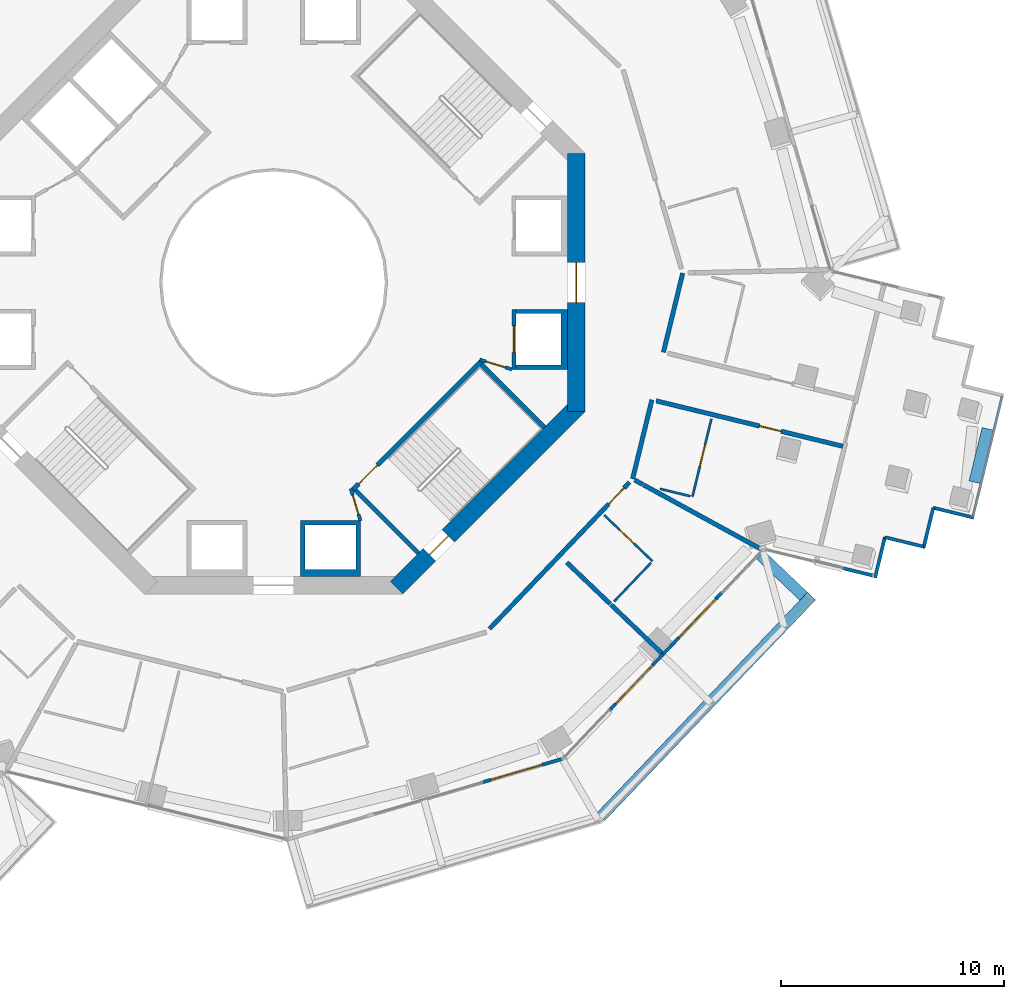
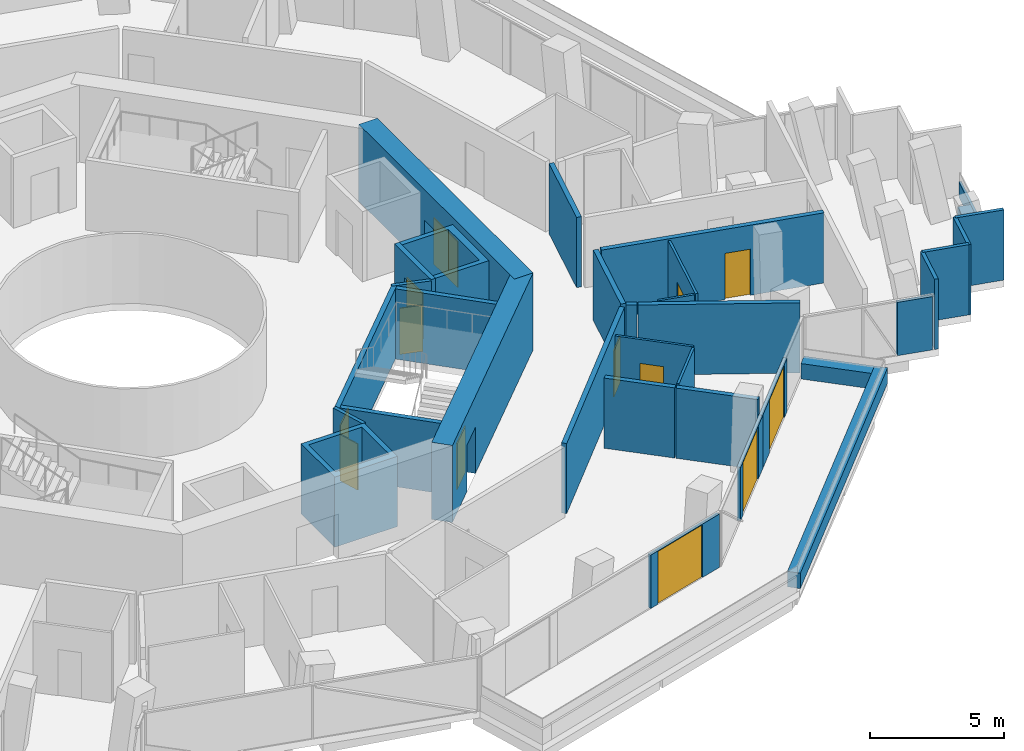
# One storey, part 19 of 25: 34 walls, 13 doors, 13 openings.
"""IFC4 building model written with IfcOpenShell, lengths in metres."""

from ifc_helpers import new_model, si_unit, direction, frame, frame_2d, origin, place, context, subcontext, project, spatial, polyline, rectangle, outline, extrude, material, layer, layer_set, type_object, element, fill, save


model = new_model("IFC4")

# Units and contexts
model_context = context("Model", 3, precision=1e-05, world=origin(), true_north=direction((0.0, 1.0)))
body_context = subcontext(model_context, "Body", "Model", "MODEL_VIEW")
ifc_project = project(units=[si_unit("LENGTHUNIT", "METRE"), si_unit("AREAUNIT", "SQUARE_METRE"), si_unit("VOLUMEUNIT", "CUBIC_METRE"), si_unit("PLANEANGLEUNIT", "RADIAN"), si_unit("MASSUNIT", "GRAM", prefix="KILO")], contexts=[model_context])

# Site, building, storey
site_placement = place(None, origin())
site = spatial("IfcSite", under=ifc_project, at=site_placement, CompositionType="ELEMENT")
building_placement = place(site_placement, origin())
building = spatial("IfcBuilding", under=site, at=building_placement, Name="Verdalira Terraces Hotel", CompositionType="ELEMENT")
storey_placement = place(building_placement, frame((0.0, 0.0, 100.0)))
storey = spatial("IfcBuildingStorey", under=building, at=storey_placement, Name="L23", CompositionType="ELEMENT", Elevation=100.0)

# Walls
ifc_material_1 = material(Name="Concrete C40", Category="concrete")
ifc_layer_1 = layer(ifc_material_1, 0.5)
ifc_layer_set_1 = layer_set([ifc_layer_1], Name="Balcony planter trough with tree")
wall_type_1 = type_object("IfcWallType", Name="Balcony planter trough with tree", PredefinedType="SOLIDWALL", material=ifc_layer_set_1)
wall_1_placement = place(storey_placement, frame((14.688477, -24.014893, 0.0), z_axis=(0.0, 0.0, 1.0), x_axis=(0.690641589, 0.723197204, 0.0)))
element("IfcWall", 1, at=wall_1_placement, inside=storey, type_object=wall_type_1, Name="Balcony planter", PredefinedType="SOLIDWALL", context=body_context, shape_type="SweptSolid", body=[
    extrude(rectangle(XDim=13.723633, YDim=0.5, at=frame_2d((6.861816, 0.0))), origin(), (0.0, 0.0, 1.0), 0.699951),
])
wall_2_placement = place(storey_placement, frame((23.812988, -14.098145, 0.0), z_axis=(0.0, 0.0, 1.0), x_axis=(-0.723201505, 0.690637085, 0.0)))
element("IfcWall", 2, at=wall_2_placement, inside=storey, type_object=wall_type_1, Name="Balcony planter", PredefinedType="SOLIDWALL", context=body_context, shape_type="SweptSolid", body=[
    extrude(rectangle(XDim=2.698975, YDim=0.5, at=frame_2d((1.349609, 0.0))), origin(), (0.0, 0.0, 1.0), 0.699951),
])

# Wall, opening, door
ifc_material_2 = material(Name="Moisture-resistant gypsum board partition")
ifc_layer_2 = layer(ifc_material_2, 0.10009765625)
ifc_layer_set_2 = layer_set([ifc_layer_2], Name="Bathroom partition 100 mm")
wall_type_2 = type_object("IfcWallType", Name="Bathroom partition 100 mm", PredefinedType="PARTITIONING", material=ifc_layer_set_2)
wall_3_placement = place(storey_placement, frame((17.021973, -12.521729, 0.0), z_axis=(0.0, 0.0, 1.0), x_axis=(-0.723235441, 0.690601547, 0.0)))
wall_3 = element("IfcWall", 3, at=wall_3_placement, inside=storey, type_object=wall_type_2, Name="Bathroom partition", PredefinedType="PARTITIONING", context=body_context, shape_type="SweptSolid", body=[
    extrude(rectangle(XDim=3.0, YDim=0.100098, at=frame_2d((1.5, 0.0))), origin(), (0.0, 0.0, 1.0), 3.189941),
])
opening_1_placement = place(wall_3_placement, frame((1.149902, 0.0, 0.0)))
opening_1 = element("IfcOpeningElement", 4, at=opening_1_placement, cuts=wall_3, Name="Opening L23-127", PredefinedType="OPENING", context=body_context, shape_type="SweptSolid", body=[
    extrude(rectangle(XDim=0.899902, YDim=2.100098, at=frame_2d((0.449951, 1.050049))), frame((0.0, 0.060059, 0.0), z_axis=(0.0, -1.0, 0.0), x_axis=(1.0, 0.0, 0.0)), (0.0, 0.0, 1.0), 0.120117),
])
ifc_material_3 = material(Name="Timber door", Category="wood")
door_type_1 = type_object("IfcDoorType", Name="Bathroom door 900 x 2100", OperationType="NOTDEFINED", PredefinedType="DOOR", material=ifc_material_3)
door_1_placement = place(opening_1_placement, origin())
door_1 = element("IfcDoor", 5, at=door_1_placement, inside=storey, type_object=door_type_1, Name="Bathroom door 2310", OperationType="SINGLE_SWING_LEFT", OverallHeight=2.10009765625, OverallWidth=0.89990234375, PredefinedType="DOOR", context=body_context, shape_type="SweptSolid", body=[
    extrude(rectangle(XDim=0.899902, YDim=2.100098, at=frame_2d((0.449951, 1.050049))), frame((0.0, 0.024902, 0.0), z_axis=(0.0, -1.0, 0.0), x_axis=(1.0, 0.0, 0.0)), (0.0, 0.0, 1.0), 0.050049),
])
fill(opening_1, door_1)

# Walls
wall_4_placement = place(storey_placement, frame((16.952881, -12.593994, 0.0), z_axis=(0.0, 0.0, 1.0), x_axis=(-0.690591866, -0.723244685, 0.0)))
element("IfcWall", 6, at=wall_4_placement, inside=storey, type_object=wall_type_2, Name="Bathroom partition", PredefinedType="PARTITIONING", context=body_context, shape_type="SweptSolid", body=[
    extrude(rectangle(XDim=2.400146, YDim=0.100098, at=frame_2d((1.200195, 0.0))), origin(), (0.0, 0.0, 1.0), 3.189941),
])
wall_5_placement = place(storey_placement, frame((18.718994, -9.599365, 0.0), z_axis=(0.0, 0.0, 1.0), x_axis=(-0.971613393, 0.23657433, 0.0)))
element("IfcWall", 7, at=wall_5_placement, inside=storey, type_object=wall_type_2, Name="Bathroom partition", PredefinedType="PARTITIONING", context=body_context, shape_type="SweptSolid", body=[
    extrude(rectangle(XDim=1.398438, YDim=0.100098, at=frame_2d((0.699219, 0.0))), origin(), (0.0, 0.0, 1.0), 3.189941),
])

# Wall, opening, door
wall_6_placement = place(storey_placement, frame((18.816406, -9.623047, 0.0), z_axis=(0.0, 0.0, 1.0), x_axis=(0.236467516, 0.971639395, 0.0)))
wall_6 = element("IfcWall", 8, at=wall_6_placement, inside=storey, type_object=wall_type_2, Name="Bathroom partition", PredefinedType="PARTITIONING", context=body_context, shape_type="SweptSolid", body=[
    extrude(rectangle(XDim=3.600098, YDim=0.100098, at=frame_2d((1.800049, 0.0))), origin(), (0.0, 0.0, 1.0), 3.189941),
])
opening_2_placement = place(wall_6_placement, frame((1.399902, 0.0, 0.0)))
opening_2 = element("IfcOpeningElement", 9, at=opening_2_placement, cuts=wall_6, Name="Opening L23-129", PredefinedType="OPENING", context=body_context, shape_type="SweptSolid", body=[
    extrude(rectangle(XDim=1.0, YDim=2.100098, at=frame_2d((0.5, 1.050049))), frame((0.0, 0.060059, 0.0), z_axis=(0.0, -1.0, 0.0), x_axis=(1.0, 0.0, 0.0)), (0.0, 0.0, 1.0), 0.120117),
])
ifc_material_4 = material(Name="Timber door", Category="wood")
door_type_2 = type_object("IfcDoorType", Name="Bathroom door 1000 x 2100", OperationType="NOTDEFINED", PredefinedType="DOOR", material=ifc_material_4)
door_2_placement = place(opening_2_placement, origin())
door_2 = element("IfcDoor", 10, at=door_2_placement, inside=storey, type_object=door_type_2, Name="Bathroom door 2311", OperationType="SINGLE_SWING_LEFT", OverallHeight=2.10009765625, OverallWidth=1.0, PredefinedType="DOOR", context=body_context, shape_type="SweptSolid", body=[
    extrude(rectangle(XDim=1.0, YDim=2.100098, at=frame_2d((0.5, 1.050049))), frame((0.0, 0.024902, 0.0), z_axis=(0.0, -1.0, 0.0), x_axis=(1.0, 0.0, 0.0)), (0.0, 0.0, 1.0), 0.050049),
])
fill(opening_2, door_2)

# Wall
ifc_material_5 = material(Name="Concrete C50", Category="concrete")
ifc_layer_3 = layer(ifc_material_5, 0.199951171875)
ifc_layer_set_3 = layer_set([ifc_layer_3], Name="Core RC wall 200 C50")
wall_type_3 = type_object("IfcWallType", Name="Core RC wall 200 C50", PredefinedType="SOLIDWALL", material=ifc_layer_set_3)
wall_7_placement = place(storey_placement, origin())
element("IfcWall", 11, at=wall_7_placement, inside=storey, type_object=wall_type_3, Name="L23 shaft wall E1", PredefinedType="SOLIDWALL", context=body_context, shape_type="SweptSolid", body=[
    extrude(outline(polyline([(13.199951, -3.899902), (10.899902, -3.899902), (10.899902, -3.699951), (12.899902, -3.699951), (12.899902, -1.399902), (10.899902, -1.399902), (10.899902, -1.199951), (13.199951, -1.199951), (13.199951, -3.899902)])), origin(), (0.0, 0.0, 1.0), 3.189941),
])

# Wall, opening, door
wall_8_placement = place(storey_placement, frame((10.800049, -1.199951, 0.0), z_axis=(0.0, 0.0, 1.0), x_axis=(0.0, -1.0, 0.0)))
wall_8 = element("IfcWall", 12, at=wall_8_placement, inside=storey, type_object=wall_type_3, Name="L23 shaft front wall E1", PredefinedType="SOLIDWALL", context=body_context, shape_type="SweptSolid", body=[
    extrude(rectangle(XDim=2.699951, YDim=0.199951, at=frame_2d((1.350098, 0.0))), origin(), (0.0, 0.0, 1.0), 3.189941),
])
opening_3_placement = place(wall_8_placement, frame((0.75, 0.0, 0.0)))
opening_3 = element("IfcOpeningElement", 13, at=opening_3_placement, cuts=wall_8, Name="Opening LD-L23-801", PredefinedType="OPENING", context=body_context, shape_type="SweptSolid", body=[
    extrude(rectangle(XDim=1.199951, YDim=2.100098, at=frame_2d((0.600098, 1.050049))), frame((0.0, 0.109863, 0.0), z_axis=(0.0, -1.0, 0.0), x_axis=(1.0, 0.0, 0.0)), (0.0, 0.0, 1.0), 0.219971),
])
ifc_material_6 = material(Name="Stainless steel", Category="steel")
door_type_3 = type_object("IfcDoorType", Name="Landing door 1200 x 2100", OperationType="NOTDEFINED", PredefinedType="DOOR", material=ifc_material_6)
door_3_placement = place(opening_3_placement, origin())
door_3 = element("IfcDoor", 14, at=door_3_placement, inside=storey, type_object=door_type_3, Name="Lift landing door LR1 L23", OperationType="DOUBLE_DOOR_SLIDING", OverallHeight=2.10009765625, OverallWidth=1.199951171875, PredefinedType="DOOR", context=body_context, shape_type="SweptSolid", body=[
    extrude(rectangle(XDim=1.199951, YDim=2.100098, at=frame_2d((0.600098, 1.050049))), frame((0.0, 0.024902, 0.0), z_axis=(0.0, -1.0, 0.0), x_axis=(1.0, 0.0, 0.0)), (0.0, 0.0, 1.0), 0.050049),
])
fill(opening_3, door_3)

# Wall
wall_9_placement = place(storey_placement, origin())
element("IfcWall", 15, at=wall_9_placement, inside=storey, type_object=wall_type_3, Name="L23 shaft wall S2", PredefinedType="SOLIDWALL", context=body_context, shape_type="SweptSolid", body=[
    extrude(outline(polyline([(3.899902, -10.699951), (3.899902, -13.199951), (1.199951, -13.199951), (1.199951, -10.699951), (3.899902, -10.699951)]), holes=[polyline([(1.399902, -12.899902), (3.699951, -12.899902), (3.699951, -10.899902), (1.399902, -10.899902), (1.399902, -12.899902)])]), origin(), (0.0, 0.0, 1.0), 3.189941),
])

# Wall, opening, door
wall_10_placement = place(storey_placement, frame((9.33374, -3.5354, 0.0), z_axis=(0.0, 0.0, 1.0), x_axis=(-0.707106781, -0.707106781, 0.0)))
wall_10 = element("IfcWall", 16, at=wall_10_placement, inside=storey, type_object=wall_type_3, Name="L23 stair ST3 front wall", PredefinedType="SOLIDWALL", context=body_context, shape_type="SweptSolid", body=[
    extrude(rectangle(XDim=8.200195, YDim=0.199951, at=frame_2d((4.100098, 0.0))), origin(), (0.0, 0.0, 1.0), 3.189941),
])
opening_4_placement = place(wall_10_placement, frame((6.600098, 0.0, 0.0)))
opening_4 = element("IfcOpeningElement", 17, at=opening_4_placement, cuts=wall_10, Name="Opening L23-811", PredefinedType="OPENING", context=body_context, shape_type="SweptSolid", body=[
    extrude(rectangle(XDim=1.199951, YDim=2.100098, at=frame_2d((0.600098, 1.050049))), frame((0.0, 0.109863, 0.0), z_axis=(0.0, -1.0, 0.0), x_axis=(1.0, 0.0, 0.0)), (0.0, 0.0, 1.0), 0.219971),
])
ifc_material_7 = material(Name="Steel fire door", Category="steel")
door_type_4 = type_object("IfcDoorType", Name="Stair door 1200 x 2100", OperationType="NOTDEFINED", PredefinedType="DOOR", material=ifc_material_7)
door_4_placement = place(opening_4_placement, origin())
door_4 = element("IfcDoor", 18, at=door_4_placement, inside=storey, type_object=door_type_4, Name="Stair door ST3 L23", OperationType="SINGLE_SWING_RIGHT", OverallHeight=2.10009765625, OverallWidth=1.199951171875, PredefinedType="DOOR", context=body_context, shape_type="SweptSolid", body=[
    extrude(rectangle(XDim=1.199951, YDim=2.100098, at=frame_2d((0.600098, 1.050049))), frame((0.0, 0.024902, 0.0), z_axis=(0.0, -1.0, 0.0), x_axis=(1.0, 0.0, 0.0)), (0.0, 0.0, 1.0), 0.050049),
])
fill(opening_4, door_4)

# Walls
for number, where, z_axis, x_axis, name in (
    (19, (3.677002, -9.33374, 0.0), (0.0, 0.0, 1.0), (0.707106781, -0.707106781, 0.0), "L23 stair ST3 end wall 1"),
    (20, (9.33374, -3.677002, 0.0), (0.0, 0.0, 1.0), (0.707106781, -0.707106781, 0.0), "L23 stair ST3 end wall 2"),
):
    element("IfcWall", number, at=place(storey_placement, frame(where, z_axis=z_axis, x_axis=x_axis)), inside=storey, type_object=wall_type_3, Name=name, PredefinedType="SOLIDWALL", context=body_context, shape_type="SweptSolid", body=[
        extrude(rectangle(XDim=4.0, YDim=0.199951, at=frame_2d((2.0, 0.0))), origin(), (0.0, 0.0, 1.0), 3.189941),
    ])

# Wall, opening, door
ifc_material_8 = material(Name="Gypsum board partition")
ifc_layer_4 = layer(ifc_material_8, 0.14990234375)
ifc_layer_set_4 = layer_set([ifc_layer_4], Name="Core partition 150 mm")
wall_type_4 = type_object("IfcWallType", Name="Core partition 150 mm", PredefinedType="PARTITIONING", material=ifc_layer_set_4)
wall_11_placement = place(storey_placement, frame((3.899902, -10.699951, 0.0), z_axis=(0.0, 0.0, 1.0), x_axis=(-0.289808785, 0.957084567, 0.0)))
wall_11 = element("IfcWall", 21, at=wall_11_placement, inside=storey, type_object=wall_type_4, Name="Room partition L23", PredefinedType="PARTITIONING", context=body_context, shape_type="SweptSolid", body=[
    extrude(rectangle(XDim=1.501221, YDim=0.149902, at=frame_2d((0.750488, 0.0))), origin(), (0.0, 0.0, 1.0), 3.189941),
])
opening_5_placement = place(wall_11_placement, frame((0.300781, 0.0, 0.0)))
opening_5 = element("IfcOpeningElement", 22, at=opening_5_placement, cuts=wall_11, Name="Opening L23-822", PredefinedType="OPENING", context=body_context, shape_type="SweptSolid", body=[
    extrude(rectangle(XDim=0.899902, YDim=2.100098, at=frame_2d((0.449951, 1.050049))), frame((0.0, 0.084961, 0.0), z_axis=(0.0, -1.0, 0.0), x_axis=(1.0, 0.0, 0.0)), (0.0, 0.0, 1.0), 0.169922),
])
ifc_material_9 = material(Name="Steel fire door", Category="steel")
door_type_5 = type_object("IfcDoorType", Name="Core room door 900 x 2100", OperationType="NOTDEFINED", PredefinedType="DOOR", material=ifc_material_9)
door_5_placement = place(opening_5_placement, origin())
door_5 = element("IfcDoor", 23, at=door_5_placement, inside=storey, type_object=door_type_5, Name="Door L23 room6", OperationType="SINGLE_SWING_LEFT", OverallHeight=2.10009765625, OverallWidth=0.89990234375, PredefinedType="DOOR", context=body_context, shape_type="SweptSolid", body=[
    extrude(rectangle(XDim=0.899902, YDim=2.100098, at=frame_2d((0.449951, 1.050049))), frame((0.0, 0.024902, 0.0), z_axis=(0.0, -1.0, 0.0), x_axis=(1.0, 0.0, 0.0)), (0.0, 0.0, 1.0), 0.050049),
])
fill(opening_5, door_5)

wall_12_placement = place(storey_placement, frame((9.263184, -3.464844, 0.0), z_axis=(0.0, 0.0, 1.0), x_axis=(0.957084567, -0.289808785, 0.0)))
wall_12 = element("IfcWall", 24, at=wall_12_placement, inside=storey, type_object=wall_type_4, Name="Room partition L23", PredefinedType="PARTITIONING", context=body_context, shape_type="SweptSolid", body=[
    extrude(rectangle(XDim=1.501221, YDim=0.149902, at=frame_2d((0.750488, 0.0))), origin(), (0.0, 0.0, 1.0), 3.189941),
])
opening_6_placement = place(wall_12_placement, frame((0.300781, 0.0, 0.0)))
opening_6 = element("IfcOpeningElement", 25, at=opening_6_placement, cuts=wall_12, Name="Opening L23-823", PredefinedType="OPENING", context=body_context, shape_type="SweptSolid", body=[
    extrude(rectangle(XDim=0.899902, YDim=2.100098, at=frame_2d((0.449951, 1.050049))), frame((0.0, 0.084961, 0.0), z_axis=(0.0, -1.0, 0.0), x_axis=(1.0, 0.0, 0.0)), (0.0, 0.0, 1.0), 0.169922),
])
door_6_placement = place(opening_6_placement, origin())
door_6 = element("IfcDoor", 26, at=door_6_placement, inside=storey, type_object=door_type_5, Name="Door L23 room7", OperationType="SINGLE_SWING_LEFT", OverallHeight=2.10009765625, OverallWidth=0.89990234375, PredefinedType="DOOR", context=body_context, shape_type="SweptSolid", body=[
    extrude(rectangle(XDim=0.899902, YDim=2.100098, at=frame_2d((0.449951, 1.050049))), frame((0.0, 0.024902, 0.0), z_axis=(0.0, -1.0, 0.0), x_axis=(1.0, 0.0, 0.0)), (0.0, 0.0, 1.0), 0.050049),
])
fill(opening_6, door_6)

ifc_material_10 = material(Name="Concrete C70", Category="concrete")
ifc_layer_5 = layer(ifc_material_10, 0.800048828125)
ifc_layer_set_5 = layer_set([ifc_layer_5], Name="Core wall 800 C70")
wall_type_5 = type_object("IfcWallType", Name="Core wall 800 C70", PredefinedType="SHEAR", material=ifc_layer_set_5)
wall_13_placement = place(storey_placement, frame((13.600098, -5.799072, 0.0), z_axis=(0.0, 0.0, 1.0), x_axis=(0.0, 1.0, 0.0)))
wall_13 = element("IfcWall", 27, at=wall_13_placement, inside=storey, type_object=wall_type_5, Name="Core wall CW-L23-1", PredefinedType="SHEAR", context=body_context, shape_type="SweptSolid", body=[
    extrude(rectangle(XDim=11.598145, YDim=0.800049, at=frame_2d((5.799072, 0.0))), origin(), (0.0, 0.0, 1.0), 3.5),
])
opening_7_placement = place(wall_13_placement, frame((4.898926, 0.0, 0.0)))
opening_7 = element("IfcOpeningElement", 28, at=opening_7_placement, cuts=wall_13, Name="Opening L23-812", PredefinedType="OPENING", context=body_context, shape_type="SweptSolid", body=[
    extrude(rectangle(XDim=1.800049, YDim=2.100098, at=frame_2d((0.899902, 1.050049))), frame((0.0, 0.409912, 0.0), z_axis=(0.0, -1.0, 0.0), x_axis=(1.0, 0.0, 0.0)), (0.0, 0.0, 1.0), 0.820068),
])
ifc_material_11 = material(Name="Steel fire door", Category="steel")
door_type_6 = type_object("IfcDoorType", Name="Core entry door pair 1800 x 2100", OperationType="NOTDEFINED", PredefinedType="DOOR", material=ifc_material_11)
door_7_placement = place(opening_7_placement, origin())
door_7 = element("IfcDoor", 29, at=door_7_placement, inside=storey, type_object=door_type_6, Name="Core entry door L23 0", OperationType="DOUBLE_DOOR_SINGLE_SWING", OverallHeight=2.10009765625, OverallWidth=1.800048828125, PredefinedType="DOOR", context=body_context, shape_type="SweptSolid", body=[
    extrude(rectangle(XDim=1.800049, YDim=2.100098, at=frame_2d((0.899902, 1.050049))), frame((0.0, 0.024902, 0.0), z_axis=(0.0, -1.0, 0.0), x_axis=(1.0, 0.0, 0.0)), (0.0, 0.0, 1.0), 0.050049),
])
fill(opening_7, door_7)

wall_14_placement = place(storey_placement, frame((5.516113, -13.717285, 0.0), z_axis=(0.0, 0.0, 1.0), x_axis=(0.707106781, 0.707106781, 0.0)))
wall_14 = element("IfcWall", 30, at=wall_14_placement, inside=storey, type_object=wall_type_5, Name="Core wall CW-L23-8", PredefinedType="SHEAR", context=body_context, shape_type="SweptSolid", body=[
    extrude(rectangle(XDim=11.598145, YDim=0.800049, at=frame_2d((5.799072, 0.0))), origin(), (0.0, 0.0, 1.0), 3.5),
])
opening_8_placement = place(wall_14_placement, frame((2.099121, 0.0, 0.0)))
opening_8 = element("IfcOpeningElement", 31, at=opening_8_placement, cuts=wall_14, Name="Opening L23-818", PredefinedType="OPENING", context=body_context, shape_type="SweptSolid", body=[
    extrude(rectangle(XDim=1.199951, YDim=2.100098, at=frame_2d((0.600098, 1.050049))), frame((0.0, 0.409912, 0.0), z_axis=(0.0, -1.0, 0.0), x_axis=(1.0, 0.0, 0.0)), (0.0, 0.0, 1.0), 0.820068),
])
door_8_placement = place(opening_8_placement, origin())
door_8 = element("IfcDoor", 32, at=door_8_placement, inside=storey, type_object=door_type_4, Name="Stair exit door ST3 L23", OperationType="SINGLE_SWING_LEFT", OverallHeight=2.10009765625, OverallWidth=1.199951171875, PredefinedType="DOOR", context=body_context, shape_type="SweptSolid", body=[
    extrude(rectangle(XDim=1.199951, YDim=2.100098, at=frame_2d((0.600098, 1.050049))), frame((0.0, 0.024902, 0.0), z_axis=(0.0, -1.0, 0.0), x_axis=(1.0, 0.0, 0.0)), (0.0, 0.0, 1.0), 0.050049),
])
fill(opening_8, door_8)

# Walls
ifc_material_12 = material(Name="Fire-rated gypsum board wall")
ifc_layer_6 = layer(ifc_material_12, 0.199951171875)
ifc_layer_set_6 = layer_set([ifc_layer_6], Name="Demising wall 200 mm")
wall_type_6 = type_object("IfcWallType", Name="Demising wall 200 mm", PredefinedType="SOLIDWALL", material=ifc_layer_set_6)
wall_15_placement = place(storey_placement, frame((13.166504, -12.573242, 0.0), z_axis=(0.0, 0.0, 1.0), x_axis=(0.723166995, -0.690673221, 0.0)))
element("IfcWall", 33, at=wall_15_placement, inside=storey, type_object=wall_type_6, Name="Demising wall", PredefinedType="SOLIDWALL", context=body_context, shape_type="SweptSolid", body=[
    extrude(rectangle(XDim=2.704834, YDim=0.199951, at=frame_2d((1.352539, 0.0))), origin(), (0.0, 0.0, 1.0), 3.189941),
])
wall_16_placement = place(storey_placement, frame((15.155762, -14.473145, 0.0), z_axis=(0.0, 0.0, 1.0), x_axis=(0.723223643, -0.690613902, 0.0)))
element("IfcWall", 34, at=wall_16_placement, inside=storey, type_object=wall_type_6, Name="Demising wall", PredefinedType="SOLIDWALL", context=body_context, shape_type="SweptSolid", body=[
    extrude(rectangle(XDim=3.151855, YDim=0.199951, at=frame_2d((1.575928, 0.0))), origin(), (0.0, 0.0, 1.0), 3.189941),
])
wall_17_placement = place(storey_placement, frame((16.219971, -8.872803, 0.0), z_axis=(0.0, 0.0, 1.0), x_axis=(0.877151137, -0.480214413, 0.0)))
element("IfcWall", 35, at=wall_17_placement, inside=storey, type_object=wall_type_6, Name="Demising wall", PredefinedType="SOLIDWALL", context=body_context, shape_type="SweptSolid", body=[
    extrude(rectangle(XDim=0.401611, YDim=0.199951, at=frame_2d((0.200684, 0.0))), origin(), (0.0, 0.0, 1.0), 3.189941),
])
wall_18_placement = place(storey_placement, frame((16.607666, -9.084961, 0.0), z_axis=(0.0, 0.0, 1.0), x_axis=(0.877318172, -0.479909184, 0.0)))
element("IfcWall", 36, at=wall_18_placement, inside=storey, type_object=wall_type_6, Name="Demising wall", PredefinedType="SOLIDWALL", context=body_context, shape_type="SweptSolid", body=[
    extrude(rectangle(XDim=6.033936, YDim=0.199951, at=frame_2d((3.01709, 0.0))), origin(), (0.0, 0.0, 1.0), 3.189941),
])

# Wall, opening, door
ifc_material_13 = material(Name="Fire-rated gypsum board wall")
ifc_layer_7 = layer(ifc_material_13, 0.199951171875)
ifc_layer_set_7 = layer_set([ifc_layer_7], Name="Guest corridor wall 200 mm")
wall_type_7 = type_object("IfcWallType", Name="Guest corridor wall 200 mm", PredefinedType="SOLIDWALL", material=ifc_layer_set_7)
wall_19_placement = place(storey_placement, frame((15.991211, -8.967773, 0.0), z_axis=(0.0, 0.0, 1.0), x_axis=(-0.690622867, -0.723215082, 0.0)))
wall_19 = element("IfcWall", 37, at=wall_19_placement, inside=storey, type_object=wall_type_7, Name="Guest corridor wall", PredefinedType="SOLIDWALL", context=body_context, shape_type="SweptSolid", body=[
    extrude(rectangle(XDim=9.116211, YDim=0.199951, at=frame_2d((4.558105, 0.0))), origin(), (0.0, 0.0, 1.0), 3.189941),
])
opening_9_placement = place(wall_19_placement, frame((0.350098, 0.0, 0.0)))
opening_9 = element("IfcOpeningElement", 38, at=opening_9_placement, cuts=wall_19, Name="Opening L23-126", PredefinedType="OPENING", context=body_context, shape_type="SweptSolid", body=[
    extrude(rectangle(XDim=1.0, YDim=2.100098, at=frame_2d((0.5, 1.050049))), frame((0.0, 0.109863, 0.0), z_axis=(0.0, -1.0, 0.0), x_axis=(1.0, 0.0, 0.0)), (0.0, 0.0, 1.0), 0.219971),
])
ifc_material_14 = material(Name="Timber fire door", Category="wood")
door_type_7 = type_object("IfcDoorType", Name="Guest entry door 1000 x 2100", OperationType="NOTDEFINED", PredefinedType="DOOR", material=ifc_material_14)
door_9_placement = place(opening_9_placement, origin())
door_9 = element("IfcDoor", 39, at=door_9_placement, inside=storey, type_object=door_type_7, Name="Guest entry door 2310", OperationType="SINGLE_SWING_LEFT", OverallHeight=2.10009765625, OverallWidth=1.0, PredefinedType="DOOR", context=body_context, shape_type="SweptSolid", body=[
    extrude(rectangle(XDim=1.0, YDim=2.100098, at=frame_2d((0.5, 1.050049))), frame((0.0, 0.024902, 0.0), z_axis=(0.0, -1.0, 0.0), x_axis=(1.0, 0.0, 0.0)), (0.0, 0.0, 1.0), 0.050049),
])
fill(opening_9, door_9)

# Walls
for number, where, z_axis, x_axis, name in (
    (40, (16.12915, -8.823242, 0.0), (0.0, 0.0, 1.0), (0.236501426, 0.971631142, 0.0), "Guest corridor wall"),
    (41, (17.514648, -3.131104, 0.0), (0.0, 0.0, 1.0), (0.236501426, 0.971631142, 0.0), "Guest corridor wall"),
):
    element("IfcWall", number, at=place(storey_placement, frame(where, z_axis=z_axis, x_axis=x_axis)), inside=storey, type_object=wall_type_7, Name=name, PredefinedType="SOLIDWALL", context=body_context, shape_type="SweptSolid", body=[
        extrude(rectangle(XDim=3.658447, YDim=0.199951, at=frame_2d((1.829102, 0.0))), origin(), (0.0, 0.0, 1.0), 3.189941),
    ])

# Wall, opening, door
wall_20_placement = place(storey_placement, frame((25.572266, -7.356445, 0.0), z_axis=(0.0, 0.0, 1.0), x_axis=(-0.971633346, 0.23649237, 0.0)))
wall_20 = element("IfcWall", 42, at=wall_20_placement, inside=storey, type_object=wall_type_7, Name="Guest corridor wall", PredefinedType="SOLIDWALL", context=body_context, shape_type="SweptSolid", body=[
    extrude(rectangle(XDim=8.628418, YDim=0.199951, at=frame_2d((4.314209, 0.0))), origin(), (0.0, 0.0, 1.0), 3.189941),
])
opening_10_placement = place(wall_20_placement, frame((2.850098, 0.0, 0.0)))
opening_10 = element("IfcOpeningElement", 43, at=opening_10_placement, cuts=wall_20, Name="Opening L23-128", PredefinedType="OPENING", context=body_context, shape_type="SweptSolid", body=[
    extrude(rectangle(XDim=1.0, YDim=2.100098, at=frame_2d((0.5, 1.050049))), frame((0.0, 0.109863, 0.0), z_axis=(0.0, -1.0, 0.0), x_axis=(1.0, 0.0, 0.0)), (0.0, 0.0, 1.0), 0.219971),
])
door_10_placement = place(opening_10_placement, origin())
door_10 = element("IfcDoor", 44, at=door_10_placement, inside=storey, type_object=door_type_7, Name="Guest entry door 2311", OperationType="SINGLE_SWING_LEFT", OverallHeight=2.10009765625, OverallWidth=1.0, PredefinedType="DOOR", context=body_context, shape_type="SweptSolid", body=[
    extrude(rectangle(XDim=1.0, YDim=2.100098, at=frame_2d((0.5, 1.050049))), frame((0.0, 0.024902, 0.0), z_axis=(0.0, -1.0, 0.0), x_axis=(1.0, 0.0, 0.0)), (0.0, 0.0, 1.0), 0.050049),
])
fill(opening_10, door_10)

# Walls
ifc_material_15 = material(Name="Concrete C40", Category="concrete")
ifc_layer_8 = layer(ifc_material_15, 0.5)
ifc_layer_set_8 = layer_set([ifc_layer_8], Name="Loggia planter trough with tree")
wall_type_8 = type_object("IfcWallType", Name="Loggia planter trough with tree", PredefinedType="SOLIDWALL", material=ifc_layer_set_8)
wall_21_placement = place(storey_placement, frame((31.489502, -8.964844, 0.0), z_axis=(0.0, 0.0, 1.0), x_axis=(0.23658425, 0.971610978, 0.0)))
element("IfcWall", 45, at=wall_21_placement, inside=storey, type_object=wall_type_8, Name="Loggia planter", PredefinedType="SOLIDWALL", context=body_context, shape_type="SweptSolid", body=[
    extrude(rectangle(XDim=2.463135, YDim=0.5, at=frame_2d((1.231445, 0.0))), origin(), (0.0, 0.0, 1.0), 0.699951),
])
ifc_material_16 = material(Name="Concrete C40", Category="concrete")
ifc_layer_9 = layer(ifc_material_16, 0.10009765625)
ifc_layer_set_9 = layer_set([ifc_layer_9], Name="Loggia upstand 100")
wall_type_9 = type_object("IfcWallType", Name="Loggia upstand 100", PredefinedType="SOLIDWALL", material=ifc_layer_set_9)
wall_22_placement = place(storey_placement, frame((31.429443, -10.480469, 0.0), z_axis=(0.0, 0.0, 1.0), x_axis=(0.236504489, 0.971630396, 0.0)))
element("IfcWall", 46, at=wall_22_placement, inside=storey, type_object=wall_type_9, Name="Loggia upstand", PredefinedType="SOLIDWALL", context=body_context, shape_type="SweptSolid", body=[
    extrude(rectangle(XDim=5.5, YDim=0.100098, at=frame_2d((2.75, 0.0))), origin(), (0.0, 0.0, 1.0), 0.699951),
])
ifc_material_17 = material(Name="Terracotta cladding", Category="masonry")
ifc_layer_10 = layer(ifc_material_17, 0.14990234375)
ifc_layer_set_10 = layer_set([ifc_layer_10], Name="Terracotta clad wall 150")
wall_type_10 = type_object("IfcWallType", Name="Terracotta clad wall 150", PredefinedType="SOLIDWALL", material=ifc_layer_set_10)
wall_23_placement = place(storey_placement, frame((27.020508, -13.266602, 0.0), z_axis=(0.0, 0.0, 1.0), x_axis=(0.236464547, 0.971640117, 0.0)))
element("IfcWall", 47, at=wall_23_placement, inside=storey, type_object=wall_type_10, Name="Terracotta cladding wall", PredefinedType="SOLIDWALL", context=body_context, shape_type="SweptSolid", body=[
    extrude(rectangle(XDim=1.875, YDim=0.149902, at=frame_2d((0.9375, 0.0))), origin(), (0.0, 0.0, 1.0), 3.189941),
])
wall_24_placement = place(storey_placement, frame((27.463867, -11.444824, 0.0), z_axis=(0.0, 0.0, 1.0), x_axis=(0.971623812, -0.236531537, 0.0)))
element("IfcWall", 48, at=wall_24_placement, inside=storey, type_object=wall_type_10, Name="Terracotta cladding wall", PredefinedType="SOLIDWALL", context=body_context, shape_type="SweptSolid", body=[
    extrude(rectangle(XDim=1.800049, YDim=0.149902, at=frame_2d((0.899902, 0.0))), origin(), (0.0, 0.0, 1.0), 3.189941),
])
for number, where, z_axis, x_axis, name in (
    (49, (29.195068, -11.943359, 0.0), (0.0, 0.0, 1.0), (0.236587473, 0.971610193, 0.0), "Terracotta cladding wall"),
    (50, (29.638672, -10.121582, 0.0), (0.0, 0.0, 1.0), (0.971640117, -0.236464547, 0.0), "Terracotta cladding wall"),
):
    element("IfcWall", number, at=place(storey_placement, frame(where, z_axis=z_axis, x_axis=x_axis)), inside=storey, type_object=wall_type_10, Name=name, PredefinedType="SOLIDWALL", context=body_context, shape_type="SweptSolid", body=[
        extrude(rectangle(XDim=1.875, YDim=0.149902, at=frame_2d((0.9375, 0.0))), origin(), (0.0, 0.0, 1.0), 3.189941),
    ])
ifc_material_18 = material(Name="Terracotta cladding", Category="masonry")
ifc_layer_11 = layer(ifc_material_18, 0.14990234375)
ifc_layer_set_11 = layer_set([ifc_layer_11], Name="Terracotta column pier 150")
wall_type_11 = type_object("IfcWallType", Name="Terracotta column pier 150", PredefinedType="SOLIDWALL", material=ifc_layer_set_11)
wall_25_placement = place(storey_placement, frame((25.564697, -12.835205, 0.0), z_axis=(0.0, 0.0, 1.0), x_axis=(0.971652131, -0.236415176, 0.0)))
element("IfcWall", 51, at=wall_25_placement, inside=storey, type_object=wall_type_11, Name="Terracotta column pier", PredefinedType="SOLIDWALL", context=body_context, shape_type="SweptSolid", body=[
    extrude(rectangle(XDim=1.371338, YDim=0.149902, at=frame_2d((0.685547, 0.0))), origin(), (0.0, 0.0, 1.0), 2.425049),
])

# Wall, opening, door
ifc_material_19 = material(Name="Terracotta cladding", Category="masonry")
ifc_layer_12 = layer(ifc_material_19, 0.14990234375)
ifc_layer_set_12 = layer_set([ifc_layer_12], Name="Terracotta door pier 150")
wall_type_12 = type_object("IfcWallType", Name="Terracotta door pier 150", PredefinedType="SOLIDWALL", material=ifc_layer_set_12)
wall_26_placement = place(storey_placement, frame((9.376953, -22.453125, 0.0), z_axis=(0.0, 0.0, 1.0), x_axis=(0.959710576, 0.280990411, 0.0)))
wall_26 = element("IfcWall", 52, at=wall_26_placement, inside=storey, type_object=wall_type_12, Name="Terracotta door pier", PredefinedType="SOLIDWALL", context=body_context, shape_type="SweptSolid", body=[
    extrude(rectangle(XDim=3.709961, YDim=0.149902, at=frame_2d((1.85498, 0.0))), origin(), (0.0, 0.0, 1.0), 2.425049),
])
opening_11_placement = place(wall_26_placement, frame((0.399902, 0.0, 0.0)))
opening_11 = element("IfcOpeningElement", 53, at=opening_11_placement, cuts=wall_26, Name="Opening L23-B14", PredefinedType="OPENING", context=body_context, shape_type="SweptSolid", body=[
    extrude(rectangle(XDim=2.399902, YDim=2.399902, at=frame_2d((1.199951, 1.199951))), frame((0.0, 0.084961, 0.0), z_axis=(0.0, -1.0, 0.0), x_axis=(1.0, 0.0, 0.0)), (0.0, 0.0, 1.0), 0.169922),
])
ifc_material_20 = material(Name="Clear glass", Category="glass")
door_type_8 = type_object("IfcDoorType", Name="Balcony sliding door 2400x2400", OperationType="NOTDEFINED", PredefinedType="DOOR", material=ifc_material_20)
door_11_placement = place(opening_11_placement, origin())
door_11 = element("IfcDoor", 54, at=door_11_placement, inside=storey, type_object=door_type_8, Name="Balcony sliding door", OperationType="SLIDING_TO_RIGHT", OverallHeight=2.39990234375, OverallWidth=2.39990234375, PredefinedType="DOOR", context=body_context, shape_type="SweptSolid", body=[
    extrude(rectangle(XDim=2.399902, YDim=2.399902, at=frame_2d((1.199951, 1.199951))), frame((0.0, 0.024902, 0.0), z_axis=(0.0, -1.0, 0.0), x_axis=(1.0, 0.0, 0.0)), (0.0, 0.0, 1.0), 0.050049),
])
fill(opening_11, door_11)

wall_27_placement = place(storey_placement, frame((15.0896, -19.214844, 0.0), z_axis=(0.0, 0.0, 1.0), x_axis=(0.690619436, 0.723218359, 0.0)))
wall_27 = element("IfcWall", 55, at=wall_27_placement, inside=storey, type_object=wall_type_12, Name="Terracotta door pier", PredefinedType="SOLIDWALL", context=body_context, shape_type="SweptSolid", body=[
    extrude(rectangle(XDim=3.475098, YDim=0.149902, at=frame_2d((1.737549, 0.0))), origin(), (0.0, 0.0, 1.0), 2.425049),
])
opening_12_placement = place(wall_27_placement, frame((0.399902, 0.0, 0.0)))
opening_12 = element("IfcOpeningElement", 56, at=opening_12_placement, cuts=wall_27, Name="Opening L23-B15", PredefinedType="OPENING", context=body_context, shape_type="SweptSolid", body=[
    extrude(rectangle(XDim=2.399902, YDim=2.399902, at=frame_2d((1.199951, 1.199951))), frame((0.0, 0.084961, 0.0), z_axis=(0.0, -1.0, 0.0), x_axis=(1.0, 0.0, 0.0)), (0.0, 0.0, 1.0), 0.169922),
])
door_12_placement = place(opening_12_placement, origin())
door_12 = element("IfcDoor", 57, at=door_12_placement, inside=storey, type_object=door_type_8, Name="Balcony sliding door", OperationType="SLIDING_TO_RIGHT", OverallHeight=2.39990234375, OverallWidth=2.39990234375, PredefinedType="DOOR", context=body_context, shape_type="SweptSolid", body=[
    extrude(rectangle(XDim=2.399902, YDim=2.399902, at=frame_2d((1.199951, 1.199951))), frame((0.0, 0.024902, 0.0), z_axis=(0.0, -1.0, 0.0), x_axis=(1.0, 0.0, 0.0)), (0.0, 0.0, 1.0), 0.050049),
])
fill(opening_12, door_12)

wall_28_placement = place(storey_placement, frame((17.489502, -16.70166, 0.0), z_axis=(0.0, 0.0, 1.0), x_axis=(0.690655886, 0.72318355, 0.0)))
wall_28 = element("IfcWall", 58, at=wall_28_placement, inside=storey, type_object=wall_type_12, Name="Terracotta door pier", PredefinedType="SOLIDWALL", context=body_context, shape_type="SweptSolid", body=[
    extrude(rectangle(XDim=3.835449, YDim=0.149902, at=frame_2d((1.917725, 0.0))), origin(), (0.0, 0.0, 1.0), 2.425049),
])
opening_13_placement = place(wall_28_placement, frame((1.0354, 0.0, 0.0)))
opening_13 = element("IfcOpeningElement", 59, at=opening_13_placement, cuts=wall_28, Name="Opening L23-B16", PredefinedType="OPENING", context=body_context, shape_type="SweptSolid", body=[
    extrude(rectangle(XDim=2.399902, YDim=2.399902, at=frame_2d((1.199951, 1.199951))), frame((0.0, 0.084961, 0.0), z_axis=(0.0, -1.0, 0.0), x_axis=(1.0, 0.0, 0.0)), (0.0, 0.0, 1.0), 0.169922),
])
door_13_placement = place(opening_13_placement, origin())
door_13 = element("IfcDoor", 60, at=door_13_placement, inside=storey, type_object=door_type_8, Name="Balcony sliding door", OperationType="SLIDING_TO_LEFT", OverallHeight=2.39990234375, OverallWidth=2.39990234375, PredefinedType="DOOR", context=body_context, shape_type="SweptSolid", body=[
    extrude(rectangle(XDim=2.399902, YDim=2.399902, at=frame_2d((1.199951, 1.199951))), frame((0.0, 0.024902, 0.0), z_axis=(0.0, -1.0, 0.0), x_axis=(1.0, 0.0, 0.0)), (0.0, 0.0, 1.0), 0.050049),
])
fill(opening_13, door_13)

save(model, "model.ifc")
